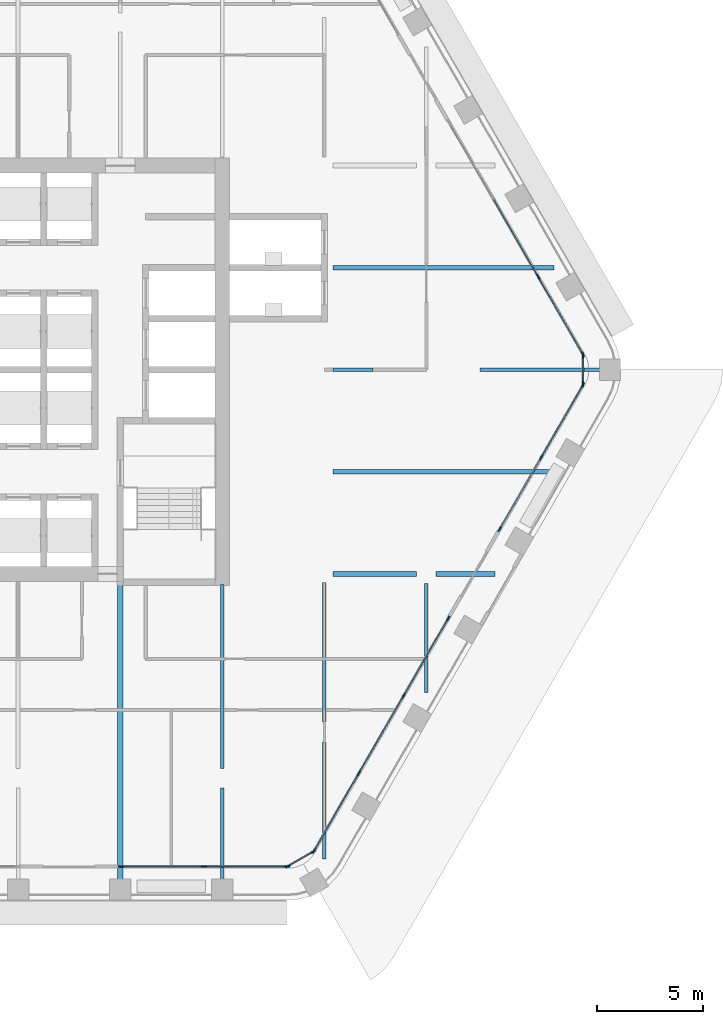
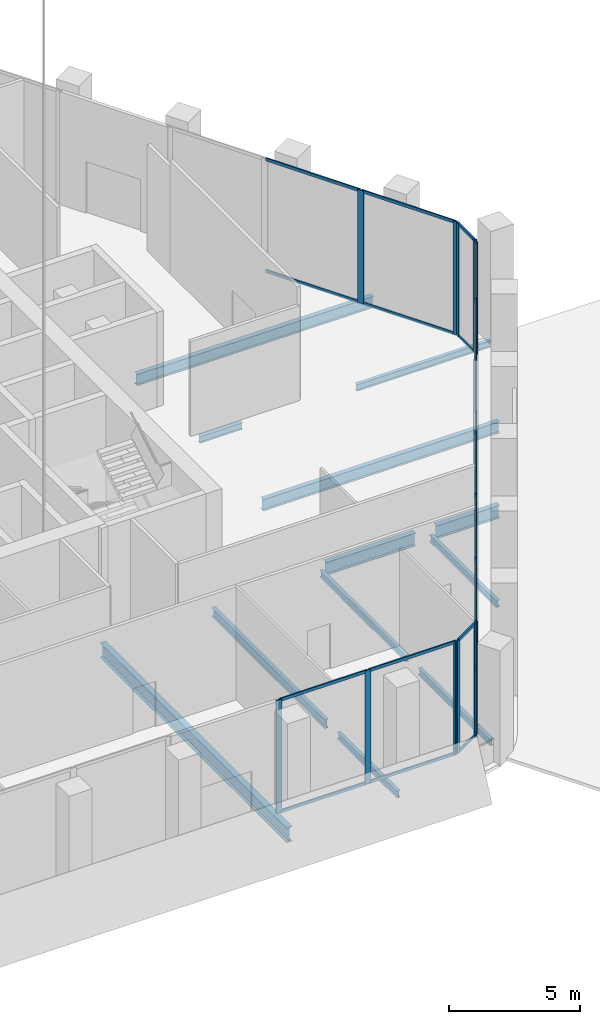
# One storey, part 3 of 42: 38 members, 12 beams, 6 elements without a shape of their own.
"""IFC4 building model written with IfcOpenShell, lengths in metres."""

from ifc_helpers import new_model, si_unit, direction, frame, origin, origin_2d, place, context, subcontext, project, spatial, rectangle, i_section, extrude, material, material_profile, profile_set, type_object, element, aggregate, save


model = new_model("IFC4")

# Units and contexts
model_context = context("Model", 3, precision=1e-05, world=origin(), true_north=direction((0.0, 1.0)))
body_context = subcontext(model_context, "Body", "Model", "MODEL_VIEW")
ifc_project = project(units=[si_unit("LENGTHUNIT", "METRE"), si_unit("AREAUNIT", "SQUARE_METRE"), si_unit("VOLUMEUNIT", "CUBIC_METRE"), si_unit("PLANEANGLEUNIT", "RADIAN"), si_unit("MASSUNIT", "GRAM", prefix="KILO")], contexts=[model_context])

# Site, building, storey
site_placement = place(None, origin())
site = spatial("IfcSite", under=ifc_project, at=site_placement, CompositionType="ELEMENT")
building_placement = place(site_placement, origin())
building = spatial("IfcBuilding", under=site, at=building_placement, Name="Kolab Exchange Tower", CompositionType="ELEMENT")
storey_placement = place(building_placement, frame((0.0, 0.0, 133.39990234375)))
storey = spatial("IfcBuildingStorey", under=building, at=storey_placement, Name="L26", CompositionType="ELEMENT", Elevation=133.39990234375)

# Beams
ifc_material_1 = material(Name="Steel S355", Category="steel")
ifc_material_profile_1 = material_profile(ifc_material_1, i_section(OverallWidth=0.1650390625, OverallDepth=0.31005859375, WebThickness=0.005859375, FlangeThickness=0.009765625, at=origin_2d()), Name="W310X39")
ifc_profile_set_1 = profile_set([ifc_material_profile_1], Name="Steel S355")
beam_type_1 = type_object("IfcBeamType", Name="FLOOR BEAM W310X39", PredefinedType="BEAM", material=ifc_profile_set_1)
beam_1_placement = place(storey_placement, frame((9.60009765625, -24.230712890625, -0.304931640625), z_axis=(0.0, 1.0, 0.0), x_axis=(-1.0, 0.0, 0.0)))
element("IfcBeam", 1, at=beam_1_placement, inside=storey, type_object=beam_type_1, Name="beam/L26/fr/024", PredefinedType="BEAM", context=body_context, shape_type="SweptSolid", body=[
    extrude(i_section(OverallWidth=0.1650390625, OverallDepth=0.31005859375, WebThickness=0.005859375, FlangeThickness=0.009765625, at=origin_2d()), origin(), (0.0, 0.0, 1.0), 4.57080078125),
])
beam_2_placement = place(storey_placement, frame((14.39990234375, -23.00146484375, -0.304931640625), z_axis=(0.0, 1.0, 0.0), x_axis=(-1.0, 0.0, 0.0)))
element("IfcBeam", 2, at=beam_2_placement, inside=storey, type_object=beam_type_1, Name="beam/L26/fr/028", PredefinedType="BEAM", context=body_context, shape_type="SweptSolid", body=[
    extrude(i_section(OverallWidth=0.1650390625, OverallDepth=0.31005859375, WebThickness=0.005859375, FlangeThickness=0.009765625, at=origin_2d()), origin(), (0.0, 0.0, 1.0), 5.4892578125),
])
beam_3_placement = place(storey_placement, frame((14.39990234375, -16.5732421875, -0.304931640625), z_axis=(0.0, 1.0, 0.0), x_axis=(-1.0, 0.0, 0.0)))
element("IfcBeam", 3, at=beam_3_placement, inside=storey, type_object=beam_type_1, Name="beam/L26/fr/029", PredefinedType="BEAM", context=body_context, shape_type="SweptSolid", body=[
    extrude(i_section(OverallWidth=0.1650390625, OverallDepth=0.31005859375, WebThickness=0.005859375, FlangeThickness=0.009765625, at=origin_2d()), origin(), (0.0, 0.0, 1.0), 6.563232421875),
])
beam_4_placement = place(storey_placement, frame((14.81005859375, 0.0, -0.304931640625), z_axis=(1.0, 0.0, 0.0), x_axis=(0.0, 1.0, 0.0)))
element("IfcBeam", 4, at=beam_4_placement, inside=storey, type_object=beam_type_1, Name="beam/L26/fr/033", PredefinedType="BEAM", context=body_context, shape_type="SweptSolid", body=[
    extrude(i_section(OverallWidth=0.1650390625, OverallDepth=0.31005859375, WebThickness=0.005859375, FlangeThickness=0.009765625, at=origin_2d()), origin(), (0.0, 0.0, 1.0), 1.8798828125),
])
beam_5_placement = place(storey_placement, frame((19.199951171875, -15.167724609375, -0.304931640625), z_axis=(0.0, 1.0, 0.0), x_axis=(-1.0, 0.0, 0.0)))
element("IfcBeam", 5, at=beam_5_placement, inside=storey, type_object=beam_type_1, Name="beam/L26/fr/035", PredefinedType="BEAM", context=body_context, shape_type="SweptSolid", body=[
    extrude(i_section(OverallWidth=0.1650390625, OverallDepth=0.31005859375, WebThickness=0.005859375, FlangeThickness=0.009765625, at=origin_2d()), origin(), (0.0, 0.0, 1.0), 5.107666015625),
])
beam_6_placement = place(storey_placement, frame((21.7099609375, 0.0, -0.304931640625), z_axis=(1.0, 0.0, 0.0), x_axis=(0.0, 1.0, 0.0)))
element("IfcBeam", 6, at=beam_6_placement, inside=storey, type_object=beam_type_1, Name="beam/L26/fr/037", PredefinedType="BEAM", context=body_context, shape_type="SweptSolid", body=[
    extrude(i_section(OverallWidth=0.1650390625, OverallDepth=0.31005859375, WebThickness=0.005859375, FlangeThickness=0.009765625, at=origin_2d()), origin(), (0.0, 0.0, 1.0), 5.888916015625),
])
ifc_material_profile_2 = material_profile(ifc_material_1, i_section(OverallWidth=0.177978515625, OverallDepth=0.406982421875, WebThickness=0.0078125, FlangeThickness=0.0126953125, at=origin_2d()), Name="W410X60")
ifc_profile_set_2 = profile_set([ifc_material_profile_2], Name="Steel S355")
beam_type_2 = type_object("IfcBeamType", Name="FLOOR BEAM W410X60", PredefinedType="BEAM", material=ifc_profile_set_2)
beam_7_placement = place(storey_placement, frame((9.60009765625, -18.739990234375, -0.353515625), z_axis=(0.0, 1.0, 0.0), x_axis=(-1.0, 0.0, 0.0)))
element("IfcBeam", 7, at=beam_7_placement, inside=storey, type_object=beam_type_2, Name="beam/L26/fr/025", PredefinedType="BEAM", context=body_context, shape_type="SweptSolid", body=[
    extrude(i_section(OverallWidth=0.177978515625, OverallDepth=0.406982421875, WebThickness=0.0078125, FlangeThickness=0.0126953125, at=origin_2d()), origin(), (0.0, 0.0, 1.0), 8.6298828125),
])
ifc_material_profile_3 = material_profile(ifc_material_1, i_section(OverallWidth=0.208984375, OverallDepth=0.532958984375, WebThickness=0.01025390625, FlangeThickness=0.015625, at=origin_2d()), Name="W530X92")
ifc_profile_set_3 = profile_set([ifc_material_profile_3], Name="Steel S355")
beam_type_3 = type_object("IfcBeamType", Name="FLOOR BEAM W530X92", PredefinedType="BEAM", material=ifc_profile_set_3)
for number, where, z_axis, x_axis, name in (
    (8, (14.81005859375, -4.800048828125, -0.41650390625), (1.0, 0.0, 0.0), (0.0, 1.0, 0.0), "beam/L26/fr/032"),
    (9, (14.81005859375, 4.800048828125, -0.41650390625), (1.0, 0.0, 0.0), (0.0, 1.0, 0.0), "beam/L26/fr/034"),
):
    element("IfcBeam", number, at=place(storey_placement, frame(where, z_axis=z_axis, x_axis=x_axis)), inside=storey, type_object=beam_type_3, Name=name, PredefinedType="BEAM", context=body_context, shape_type="SweptSolid", body=[
        extrude(i_section(OverallWidth=0.208984375, OverallDepth=0.532958984375, WebThickness=0.01025390625, FlangeThickness=0.015625, at=origin_2d()), origin(), (0.0, 0.0, 1.0), 10.392578125),
    ])
ifc_material_profile_4 = material_profile(ifc_material_1, i_section(OverallWidth=0.25390625, OverallDepth=0.68408203125, WebThickness=0.012451171875, FlangeThickness=0.018798828125, at=origin_2d()), Name="W690X140")
ifc_profile_set_4 = profile_set([ifc_material_profile_4], Name="Steel S355")
beam_type_4 = type_object("IfcBeamType", Name="FLOOR BEAM W690X140", PredefinedType="BEAM", material=ifc_profile_set_4)
beam_8_placement = place(storey_placement, frame((4.800048828125, -24.2314453125, -0.491943359375), z_axis=(0.0, 1.0, 0.0), x_axis=(-1.0, 0.0, 0.0)))
element("IfcBeam", 10, at=beam_8_placement, inside=storey, type_object=beam_type_4, Name="beam/L26/fr/021", PredefinedType="BEAM", context=body_context, shape_type="SweptSolid", body=[
    extrude(i_section(OverallWidth=0.25390625, OverallDepth=0.68408203125, WebThickness=0.012451171875, FlangeThickness=0.018798828125, at=origin_2d()), origin(), (0.0, 0.0, 1.0), 14.221435546875),
])
ifc_material_profile_5 = material_profile(ifc_material_1, i_section(OverallWidth=0.22802734375, OverallDepth=0.60791015625, WebThickness=0.01123046875, FlangeThickness=0.017333984375, at=origin_2d()), Name="W610X113")
ifc_profile_set_5 = profile_set([ifc_material_profile_5], Name="Steel S355")
beam_type_5 = type_object("IfcBeamType", Name="FLOOR GIRDER W610X113", PredefinedType="BEAM", material=ifc_profile_set_5)
beam_9_placement = place(storey_placement, frame((14.81005859375, -9.60009765625, -0.453857421875), z_axis=(1.0, 0.0, 0.0), x_axis=(0.0, 1.0, 0.0)))
element("IfcBeam", 11, at=beam_9_placement, inside=storey, type_object=beam_type_5, Name="beam/L26/gd/004", PredefinedType="BEAM", context=body_context, shape_type="SweptSolid", body=[
    extrude(i_section(OverallWidth=0.22802734375, OverallDepth=0.60791015625, WebThickness=0.01123046875, FlangeThickness=0.017333984375, at=origin_2d()), origin(), (0.0, 0.0, 1.0), 3.929931640625),
])
beam_10_placement = place(storey_placement, frame((19.659912109375, -9.60009765625, -0.453857421875), z_axis=(1.0, 0.0, 0.0), x_axis=(0.0, 1.0, 0.0)))
element("IfcBeam", 12, at=beam_10_placement, inside=storey, type_object=beam_type_5, Name="beam/L26/gd/006", PredefinedType="BEAM", context=body_context, shape_type="SweptSolid", body=[
    extrude(i_section(OverallWidth=0.22802734375, OverallDepth=0.60791015625, WebThickness=0.01123046875, FlangeThickness=0.017333984375, at=origin_2d()), origin(), (0.0, 0.0, 1.0), 2.771484375),
])

# Curtain wall, members
ifc_material_2 = material(Name="Aluminium EN AW-6063 T6", Category="aluminium")
curtain_wall_type = type_object("IfcCurtainWallType", Name="UNITISED UPPER MID ZONE DOUBLE HEIGHT CURTAIN WALL", PredefinedType="NOTDEFINED", material=ifc_material_2)
curtain_wall_1_placement = place(storey_placement, origin())
curtain_wall_1 = element("IfcCurtainWall", 13, at=curtain_wall_1_placement, inside=storey, type_object=curtain_wall_type, Name="cw/L26/F2-2", PredefinedType="NOTDEFINED")
ifc_material_profile_6 = material_profile(ifc_material_2, rectangle(XDim=0.06005859375, YDim=0.260009765625, at=origin_2d()), Name="RECT 60X260")
ifc_profile_set_6 = profile_set([ifc_material_profile_6], Name="Aluminium EN AW-6063 T6")
member_type_1 = type_object("IfcMemberType", Name="UNITISED UPPER MID ZONE DOUBLE HEIGHT MULLION 60 X 260", PredefinedType="MULLION", material=ifc_profile_set_6)
member_1_placement = place(storey_placement, frame((24.454345703125, 4.366943359375, 0.0), z_axis=(0.0, 0.0, 1.0), x_axis=(0.866025427826, 0.499999958358, 0.0)))
member_1 = element("IfcMember", 14, at=member_1_placement, type_object=member_type_1, Name="CW8 mullion 3", PredefinedType="MULLION", context=body_context, shape_type="SweptSolid", body=[
    extrude(rectangle(XDim=0.06005859375, YDim=0.260009765625, at=origin_2d()), origin(), (0.0, 0.0, 1.0), 5.25),
])
member_2_placement = place(storey_placement, frame((26.550537109375, 0.736083984375, 0.0), z_axis=(0.0, 0.0, 1.0), x_axis=(0.866025427826, 0.499999958358, 0.0)))
member_2 = element("IfcMember", 15, at=member_2_placement, type_object=member_type_1, Name="CW8 mullion 4", PredefinedType="MULLION", context=body_context, shape_type="SweptSolid", body=[
    extrude(rectangle(XDim=0.06005859375, YDim=0.260009765625, at=origin_2d()), origin(), (0.0, 0.0, 1.0), 5.25),
])

curtain_wall_2_placement = place(storey_placement, origin())
curtain_wall_2 = element("IfcCurtainWall", 16, at=curtain_wall_2_placement, inside=storey, type_object=curtain_wall_type, Name="cw/L26/F3-1", PredefinedType="NOTDEFINED")
member_3_placement = place(storey_placement, frame((26.550537109375, -0.736083984375, 0.0), z_axis=(0.0, 0.0, 1.0), x_axis=(0.866025440524, -0.499999936366, 0.0)))
member_3 = element("IfcMember", 17, at=member_3_placement, type_object=member_type_1, Name="CW8 mullion 1", PredefinedType="MULLION", context=body_context, shape_type="SweptSolid", body=[
    extrude(rectangle(XDim=0.06005859375, YDim=0.260009765625, at=origin_2d()), origin(), (0.0, 0.0, 1.0), 5.25),
])
member_4_placement = place(storey_placement, frame((24.5986328125, -4.116943359375, 0.0), z_axis=(0.0, 0.0, 1.0), x_axis=(0.866025440524, -0.499999936366, 0.0)))
member_4 = element("IfcMember", 18, at=member_4_placement, type_object=member_type_1, Name="CW8 mullion 2", PredefinedType="MULLION", context=body_context, shape_type="SweptSolid", body=[
    extrude(rectangle(XDim=0.06005859375, YDim=0.260009765625, at=origin_2d()), origin(), (0.0, 0.0, 1.0), 5.25),
])
member_5_placement = place(storey_placement, frame((22.646728515625, -7.497802734375, 0.0), z_axis=(0.0, 0.0, 1.0), x_axis=(0.866025440524, -0.499999936366, 0.0)))
member_5 = element("IfcMember", 19, at=member_5_placement, type_object=member_type_1, Name="CW8 mullion 3", PredefinedType="MULLION", context=body_context, shape_type="SweptSolid", body=[
    extrude(rectangle(XDim=0.06005859375, YDim=0.260009765625, at=origin_2d()), origin(), (0.0, 0.0, 1.0), 5.25),
])

curtain_wall_3_placement = place(storey_placement, origin())
curtain_wall_3 = element("IfcCurtainWall", 20, at=curtain_wall_3_placement, inside=storey, type_object=curtain_wall_type, Name="cw/L26/F3-2", PredefinedType="NOTDEFINED")
member_6_placement = place(storey_placement, frame((20.216796875, -11.706787109375, 0.0), z_axis=(0.0, 0.0, 1.0), x_axis=(0.866025393644, -0.500000017564, 0.0)))
member_6 = element("IfcMember", 21, at=member_6_placement, type_object=member_type_1, Name="CW8 mullion 1", PredefinedType="MULLION", context=body_context, shape_type="SweptSolid", body=[
    extrude(rectangle(XDim=0.06005859375, YDim=0.260009765625, at=origin_2d()), origin(), (0.0, 0.0, 1.0), 5.25),
])
member_7_placement = place(storey_placement, frame((18.120361328125, -15.337646484375, 0.0), z_axis=(0.0, 0.0, 1.0), x_axis=(0.866025393644, -0.500000017564, 0.0)))
member_7 = element("IfcMember", 22, at=member_7_placement, type_object=member_type_1, Name="CW8 mullion 2", PredefinedType="MULLION", context=body_context, shape_type="SweptSolid", body=[
    extrude(rectangle(XDim=0.06005859375, YDim=0.260009765625, at=origin_2d()), origin(), (0.0, 0.0, 1.0), 5.25),
])
member_8_placement = place(storey_placement, frame((16.009033203125, -18.99462890625, 0.0), z_axis=(0.0, 0.0, 1.0), x_axis=(0.866025393644, -0.500000017564, 0.0)))
member_8 = element("IfcMember", 23, at=member_8_placement, type_object=member_type_1, Name="CW8 mullion 3", PredefinedType="MULLION", context=body_context, shape_type="SweptSolid", body=[
    extrude(rectangle(XDim=0.06005859375, YDim=0.260009765625, at=origin_2d()), origin(), (0.0, 0.0, 1.0), 5.25),
])
member_9_placement = place(storey_placement, frame((13.91259765625, -22.62548828125, 0.0), z_axis=(0.0, 0.0, 1.0), x_axis=(0.866025393644, -0.500000017564, 0.0)))
member_9 = element("IfcMember", 24, at=member_9_placement, type_object=member_type_1, Name="CW8 mullion 4", PredefinedType="MULLION", context=body_context, shape_type="SweptSolid", body=[
    extrude(rectangle(XDim=0.06005859375, YDim=0.260009765625, at=origin_2d()), origin(), (0.0, 0.0, 1.0), 5.25),
])

curtain_wall_4_placement = place(storey_placement, origin())
curtain_wall_4 = element("IfcCurtainWall", 25, at=curtain_wall_4_placement, inside=storey, type_object=curtain_wall_type, Name="cw/L26/F4-1", PredefinedType="NOTDEFINED")
member_10_placement = place(storey_placement, frame((12.637939453125, -23.361572265625, 0.0), z_axis=(0.0, 0.0, 1.0), x_axis=(0.0, -1.0, 0.0)))
member_10 = element("IfcMember", 26, at=member_10_placement, type_object=member_type_1, Name="CW8 mullion 1", PredefinedType="MULLION", context=body_context, shape_type="SweptSolid", body=[
    extrude(rectangle(XDim=0.06005859375, YDim=0.260009765625, at=origin_2d()), origin(), (0.0, 0.0, 1.0), 5.25),
])
member_11_placement = place(storey_placement, frame((8.73388671875, -23.361572265625, 0.0), z_axis=(0.0, 0.0, 1.0), x_axis=(0.0, -1.0, 0.0)))
member_11 = element("IfcMember", 27, at=member_11_placement, type_object=member_type_1, Name="CW8 mullion 2", PredefinedType="MULLION", context=body_context, shape_type="SweptSolid", body=[
    extrude(rectangle(XDim=0.06005859375, YDim=0.260009765625, at=origin_2d()), origin(), (0.0, 0.0, 1.0), 5.25),
])
member_12_placement = place(storey_placement, frame((4.830078125, -23.361572265625, 0.0), z_axis=(0.0, 0.0, 1.0), x_axis=(0.0, -1.0, 0.0)))
member_12 = element("IfcMember", 28, at=member_12_placement, type_object=member_type_1, Name="CW8 mullion 3", PredefinedType="MULLION", context=body_context, shape_type="SweptSolid", body=[
    extrude(rectangle(XDim=0.06005859375, YDim=0.260009765625, at=origin_2d()), origin(), (0.0, 0.0, 1.0), 5.25),
])

curtain_wall_5_placement = place(storey_placement, origin())
curtain_wall_5 = element("IfcCurtainWall", 29, at=curtain_wall_5_placement, inside=storey, type_object=curtain_wall_type, Name="cw/L26/F2F3-corner", PredefinedType="NOTDEFINED")
member_13_placement = place(storey_placement, frame((26.565673828125, 0.679931640625, 0.0), z_axis=(0.0, 0.0, 1.0), x_axis=(1.0, 0.0, 0.0)))
member_13 = element("IfcMember", 30, at=member_13_placement, type_object=member_type_1, Name="CW8 mullion 1", PredefinedType="MULLION", context=body_context, shape_type="SweptSolid", body=[
    extrude(rectangle(XDim=0.06005859375, YDim=0.260009765625, at=origin_2d()), origin(), (0.0, 0.0, 1.0), 5.25),
])
member_14_placement = place(storey_placement, frame((26.565673828125, -0.679931640625, 0.0), z_axis=(0.0, 0.0, 1.0), x_axis=(1.0, 0.0, 0.0)))
member_14 = element("IfcMember", 31, at=member_14_placement, type_object=member_type_1, Name="CW8 mullion 2", PredefinedType="MULLION", context=body_context, shape_type="SweptSolid", body=[
    extrude(rectangle(XDim=0.06005859375, YDim=0.260009765625, at=origin_2d()), origin(), (0.0, 0.0, 1.0), 5.25),
])

curtain_wall_6_placement = place(storey_placement, origin())
curtain_wall_6 = element("IfcCurtainWall", 32, at=curtain_wall_6_placement, inside=storey, type_object=curtain_wall_type, Name="cw/L26/F3F4-corner", PredefinedType="NOTDEFINED")
member_15_placement = place(storey_placement, frame((13.871826171875, -22.66650390625, 0.0), z_axis=(0.0, 0.0, 1.0), x_axis=(0.50000002237, -0.866025390869, 0.0)))
member_15 = element("IfcMember", 33, at=member_15_placement, type_object=member_type_1, Name="CW8 mullion 1", PredefinedType="MULLION", context=body_context, shape_type="SweptSolid", body=[
    extrude(rectangle(XDim=0.06005859375, YDim=0.260009765625, at=origin_2d()), origin(), (0.0, 0.0, 1.0), 5.25),
])
member_16_placement = place(storey_placement, frame((12.69384765625, -23.346435546875, 0.0), z_axis=(0.0, 0.0, 1.0), x_axis=(0.50000002237, -0.866025390869, 0.0)))
member_16 = element("IfcMember", 34, at=member_16_placement, type_object=member_type_1, Name="CW8 mullion 2", PredefinedType="MULLION", context=body_context, shape_type="SweptSolid", body=[
    extrude(rectangle(XDim=0.06005859375, YDim=0.260009765625, at=origin_2d()), origin(), (0.0, 0.0, 1.0), 5.25),
])

# Member
ifc_material_profile_7 = material_profile(ifc_material_2, rectangle(XDim=0.06005859375, YDim=0.139892578125, at=origin_2d()), Name="RECT 60X140")
ifc_profile_set_7 = profile_set([ifc_material_profile_7], Name="Aluminium EN AW-6063 T6")
member_type_2 = type_object("IfcMemberType", Name="UNITISED UPPER MID ZONE DOUBLE HEIGHT TRANSOM 60 X 140", PredefinedType="USERDEFINED", material=ifc_profile_set_7)
member_17_placement = place(storey_placement, frame((22.35791015625, 7.997802734375, 0.030029296875), z_axis=(0.49999322259, -0.866029316688, 0.0), x_axis=(0.866029316688, 0.49999322259, 0.0)))
member_17 = element("IfcMember", 35, at=member_17_placement, type_object=member_type_2, Name="CW8 transom 2.1", ObjectType="TRANSOM", PredefinedType="USERDEFINED", context=body_context, shape_type="SweptSolid", body=[
    extrude(rectangle(XDim=0.06005859375, YDim=0.139892578125, at=origin_2d()), origin(), (0.0, 0.0, 1.0), 4.16259765625),
])

member_18_placement = place(storey_placement, frame((22.35791015625, 7.997802734375, 5.22021484375), z_axis=(0.49999322259, -0.866029316688, 0.0), x_axis=(0.866029316688, 0.49999322259, 0.0)))
member_18 = element("IfcMember", 36, at=member_18_placement, type_object=member_type_2, Name="CW8 transom 2.2", ObjectType="TRANSOM", PredefinedType="USERDEFINED", context=body_context, shape_type="SweptSolid", body=[
    extrude(rectangle(XDim=0.06005859375, YDim=0.139892578125, at=origin_2d()), origin(), (0.0, 0.0, 1.0), 4.16259765625),
])

member_19_placement = place(storey_placement, frame((24.46923828125, 4.3408203125, 0.030029296875), z_axis=(0.500027577057, -0.866009481578, 0.0), x_axis=(0.866009481578, 0.500027577057, 0.0)))
member_19 = element("IfcMember", 37, at=member_19_placement, type_object=member_type_2, Name="CW8 transom 3.1", ObjectType="TRANSOM", PredefinedType="USERDEFINED", context=body_context, shape_type="SweptSolid", body=[
    extrude(rectangle(XDim=0.06005859375, YDim=0.139892578125, at=origin_2d()), origin(), (0.0, 0.0, 1.0), 4.132568359375),
])

member_20_placement = place(storey_placement, frame((24.46923828125, 4.3408203125, 5.22021484375), z_axis=(0.500027577057, -0.866009481578, 0.0), x_axis=(0.866009481578, 0.500027577057, 0.0)))
member_20 = element("IfcMember", 38, at=member_20_placement, type_object=member_type_2, Name="CW8 transom 3.2", ObjectType="TRANSOM", PredefinedType="USERDEFINED", context=body_context, shape_type="SweptSolid", body=[
    extrude(rectangle(XDim=0.06005859375, YDim=0.139892578125, at=origin_2d()), origin(), (0.0, 0.0, 1.0), 4.132568359375),
])

aggregate(curtain_wall_1, [member_1, member_2, member_17, member_18, member_19, member_20])

member_21_placement = place(storey_placement, frame((26.53564453125, -0.761962890625, 0.030029296875), z_axis=(-0.499991857942, -0.866030104553, 0.0), x_axis=(0.866030104553, -0.499991857942, 0.0)))
member_21 = element("IfcMember", 39, at=member_21_placement, type_object=member_type_2, Name="CW8 transom 1.1", ObjectType="TRANSOM", PredefinedType="USERDEFINED", context=body_context, shape_type="SweptSolid", body=[
    extrude(rectangle(XDim=0.06005859375, YDim=0.139892578125, at=origin_2d()), origin(), (0.0, 0.0, 1.0), 3.84375),
])

member_22_placement = place(storey_placement, frame((26.53564453125, -0.761962890625, 5.22021484375), z_axis=(-0.499991857942, -0.866030104553, 0.0), x_axis=(0.866030104553, -0.499991857942, 0.0)))
member_22 = element("IfcMember", 40, at=member_22_placement, type_object=member_type_2, Name="CW8 transom 1.2", ObjectType="TRANSOM", PredefinedType="USERDEFINED", context=body_context, shape_type="SweptSolid", body=[
    extrude(rectangle(XDim=0.06005859375, YDim=0.139892578125, at=origin_2d()), origin(), (0.0, 0.0, 1.0), 3.84375),
])

member_23_placement = place(storey_placement, frame((24.583740234375, -4.142822265625, 0.030029296875), z_axis=(-0.500011990396, -0.866018481016, 0.0), x_axis=(0.866018481016, -0.500011990396, 0.0)))
member_23 = element("IfcMember", 41, at=member_23_placement, type_object=member_type_2, Name="CW8 transom 2.1", ObjectType="TRANSOM", PredefinedType="USERDEFINED", context=body_context, shape_type="SweptSolid", body=[
    extrude(rectangle(XDim=0.06005859375, YDim=0.139892578125, at=origin_2d()), origin(), (0.0, 0.0, 1.0), 3.84423828125),
])

member_24_placement = place(storey_placement, frame((24.583740234375, -4.142822265625, 5.22021484375), z_axis=(-0.500011990396, -0.866018481016, 0.0), x_axis=(0.866018481016, -0.500011990396, 0.0)))
member_24 = element("IfcMember", 42, at=member_24_placement, type_object=member_type_2, Name="CW8 transom 2.2", ObjectType="TRANSOM", PredefinedType="USERDEFINED", context=body_context, shape_type="SweptSolid", body=[
    extrude(rectangle(XDim=0.06005859375, YDim=0.139892578125, at=origin_2d()), origin(), (0.0, 0.0, 1.0), 3.84423828125),
])

aggregate(curtain_wall_2, [member_3, member_4, member_5, member_21, member_22, member_23, member_24])

member_25_placement = place(storey_placement, frame((20.20166015625, -11.732666015625, 0.030029296875), z_axis=(-0.500001996123, -0.866024251319, 0.0), x_axis=(0.866024251319, -0.500001996123, 0.0)))
member_25 = element("IfcMember", 43, at=member_25_placement, type_object=member_type_2, Name="CW8 transom 1.1", ObjectType="TRANSOM", PredefinedType="USERDEFINED", context=body_context, shape_type="SweptSolid", body=[
    extrude(rectangle(XDim=0.06005859375, YDim=0.139892578125, at=origin_2d()), origin(), (0.0, 0.0, 1.0), 4.1328125),
])

member_26_placement = place(storey_placement, frame((20.20166015625, -11.732666015625, 5.22021484375), z_axis=(-0.500001996123, -0.866024251319, 0.0), x_axis=(0.866024251319, -0.500001996123, 0.0)))
member_26 = element("IfcMember", 44, at=member_26_placement, type_object=member_type_2, Name="CW8 transom 1.2", ObjectType="TRANSOM", PredefinedType="USERDEFINED", context=body_context, shape_type="SweptSolid", body=[
    extrude(rectangle(XDim=0.06005859375, YDim=0.139892578125, at=origin_2d()), origin(), (0.0, 0.0, 1.0), 4.1328125),
])

member_27_placement = place(storey_placement, frame((18.10546875, -15.36376953125, 0.030029296875), z_axis=(-0.500037208726, -0.86600392025, 0.0), x_axis=(0.86600392025, -0.500037208726, 0.0)))
member_27 = element("IfcMember", 45, at=member_27_placement, type_object=member_type_2, Name="CW8 transom 2.1", ObjectType="TRANSOM", PredefinedType="USERDEFINED", context=body_context, shape_type="SweptSolid", body=[
    extrude(rectangle(XDim=0.06005859375, YDim=0.139892578125, at=origin_2d()), origin(), (0.0, 0.0, 1.0), 4.162841796875),
])

member_28_placement = place(storey_placement, frame((18.10546875, -15.36376953125, 5.22021484375), z_axis=(-0.500037208726, -0.86600392025, 0.0), x_axis=(0.86600392025, -0.500037208726, 0.0)))
member_28 = element("IfcMember", 46, at=member_28_placement, type_object=member_type_2, Name="CW8 transom 2.2", ObjectType="TRANSOM", PredefinedType="USERDEFINED", context=body_context, shape_type="SweptSolid", body=[
    extrude(rectangle(XDim=0.06005859375, YDim=0.139892578125, at=origin_2d()), origin(), (0.0, 0.0, 1.0), 4.162841796875),
])

member_29_placement = place(storey_placement, frame((15.994140625, -19.0205078125, 0.030029296875), z_axis=(-0.500001996123, -0.866024251319, 0.0), x_axis=(0.866024251319, -0.500001996123, 0.0)))
member_29 = element("IfcMember", 47, at=member_29_placement, type_object=member_type_2, Name="CW8 transom 3.1", ObjectType="TRANSOM", PredefinedType="USERDEFINED", context=body_context, shape_type="SweptSolid", body=[
    extrude(rectangle(XDim=0.06005859375, YDim=0.139892578125, at=origin_2d()), origin(), (0.0, 0.0, 1.0), 4.1328125),
])

member_30_placement = place(storey_placement, frame((15.994140625, -19.0205078125, 5.22021484375), z_axis=(-0.500001996123, -0.866024251319, 0.0), x_axis=(0.866024251319, -0.500001996123, 0.0)))
member_30 = element("IfcMember", 48, at=member_30_placement, type_object=member_type_2, Name="CW8 transom 3.2", ObjectType="TRANSOM", PredefinedType="USERDEFINED", context=body_context, shape_type="SweptSolid", body=[
    extrude(rectangle(XDim=0.06005859375, YDim=0.139892578125, at=origin_2d()), origin(), (0.0, 0.0, 1.0), 4.1328125),
])

aggregate(curtain_wall_3, [member_6, member_7, member_8, member_9, member_25, member_26, member_27, member_28, member_29, member_30])

member_31_placement = place(storey_placement, frame((12.60791015625, -23.361572265625, 0.030029296875), z_axis=(-1.0, 0.0, 0.0), x_axis=(0.0, -1.0, 0.0)))
member_31 = element("IfcMember", 49, at=member_31_placement, type_object=member_type_2, Name="CW8 transom 1.1", ObjectType="TRANSOM", PredefinedType="USERDEFINED", context=body_context, shape_type="SweptSolid", body=[
    extrude(rectangle(XDim=0.06005859375, YDim=0.139892578125, at=origin_2d()), origin(), (0.0, 0.0, 1.0), 3.843994140625),
])

member_32_placement = place(storey_placement, frame((12.60791015625, -23.361572265625, 5.22021484375), z_axis=(-1.0, 0.0, 0.0), x_axis=(0.0, -1.0, 0.0)))
member_32 = element("IfcMember", 50, at=member_32_placement, type_object=member_type_2, Name="CW8 transom 1.2", ObjectType="TRANSOM", PredefinedType="USERDEFINED", context=body_context, shape_type="SweptSolid", body=[
    extrude(rectangle(XDim=0.06005859375, YDim=0.139892578125, at=origin_2d()), origin(), (0.0, 0.0, 1.0), 3.843994140625),
])

member_33_placement = place(storey_placement, frame((8.703857421875, -23.361572265625, 0.030029296875), z_axis=(-1.0, 0.0, 0.0), x_axis=(0.0, -1.0, 0.0)))
member_33 = element("IfcMember", 51, at=member_33_placement, type_object=member_type_2, Name="CW8 transom 2.1", ObjectType="TRANSOM", PredefinedType="USERDEFINED", context=body_context, shape_type="SweptSolid", body=[
    extrude(rectangle(XDim=0.06005859375, YDim=0.139892578125, at=origin_2d()), origin(), (0.0, 0.0, 1.0), 3.84375),
])

member_34_placement = place(storey_placement, frame((8.703857421875, -23.361572265625, 5.22021484375), z_axis=(-1.0, 0.0, 0.0), x_axis=(0.0, -1.0, 0.0)))
member_34 = element("IfcMember", 52, at=member_34_placement, type_object=member_type_2, Name="CW8 transom 2.2", ObjectType="TRANSOM", PredefinedType="USERDEFINED", context=body_context, shape_type="SweptSolid", body=[
    extrude(rectangle(XDim=0.06005859375, YDim=0.139892578125, at=origin_2d()), origin(), (0.0, 0.0, 1.0), 3.84375),
])

aggregate(curtain_wall_4, [member_10, member_11, member_12, member_31, member_32, member_33, member_34])

member_35_placement = place(storey_placement, frame((26.565673828125, 0.64990234375, 0.030029296875), z_axis=(0.0, -1.0, 0.0), x_axis=(1.0, 0.0, 0.0)))
member_35 = element("IfcMember", 53, at=member_35_placement, type_object=member_type_2, Name="CW8 transom 1.1", ObjectType="TRANSOM", PredefinedType="USERDEFINED", context=body_context, shape_type="SweptSolid", body=[
    extrude(rectangle(XDim=0.06005859375, YDim=0.139892578125, at=origin_2d()), origin(), (0.0, 0.0, 1.0), 1.2998046875),
])

member_36_placement = place(storey_placement, frame((26.565673828125, 0.64990234375, 5.22021484375), z_axis=(0.0, -1.0, 0.0), x_axis=(1.0, 0.0, 0.0)))
member_36 = element("IfcMember", 54, at=member_36_placement, type_object=member_type_2, Name="CW8 transom 1.2", ObjectType="TRANSOM", PredefinedType="USERDEFINED", context=body_context, shape_type="SweptSolid", body=[
    extrude(rectangle(XDim=0.06005859375, YDim=0.139892578125, at=origin_2d()), origin(), (0.0, 0.0, 1.0), 1.2998046875),
])

aggregate(curtain_wall_5, [member_13, member_14, member_35, member_36])

member_37_placement = place(storey_placement, frame((13.845703125, -22.681640625, 0.030029296875), z_axis=(-0.86603858612, -0.49997716683, 0.0), x_axis=(0.49997716683, -0.86603858612, 0.0)))
member_37 = element("IfcMember", 55, at=member_37_placement, type_object=member_type_2, Name="CW8 transom 1.1", ObjectType="TRANSOM", PredefinedType="USERDEFINED", context=body_context, shape_type="SweptSolid", body=[
    extrude(rectangle(XDim=0.06005859375, YDim=0.139892578125, at=origin_2d()), origin(), (0.0, 0.0, 1.0), 1.2998046875),
])

member_38_placement = place(storey_placement, frame((13.845703125, -22.681640625, 5.22021484375), z_axis=(-0.86603858612, -0.49997716683, 0.0), x_axis=(0.49997716683, -0.86603858612, 0.0)))
member_38 = element("IfcMember", 56, at=member_38_placement, type_object=member_type_2, Name="CW8 transom 1.2", ObjectType="TRANSOM", PredefinedType="USERDEFINED", context=body_context, shape_type="SweptSolid", body=[
    extrude(rectangle(XDim=0.06005859375, YDim=0.139892578125, at=origin_2d()), origin(), (0.0, 0.0, 1.0), 1.2998046875),
])

aggregate(curtain_wall_6, [member_15, member_16, member_37, member_38])

save(model, "model.ifc")
